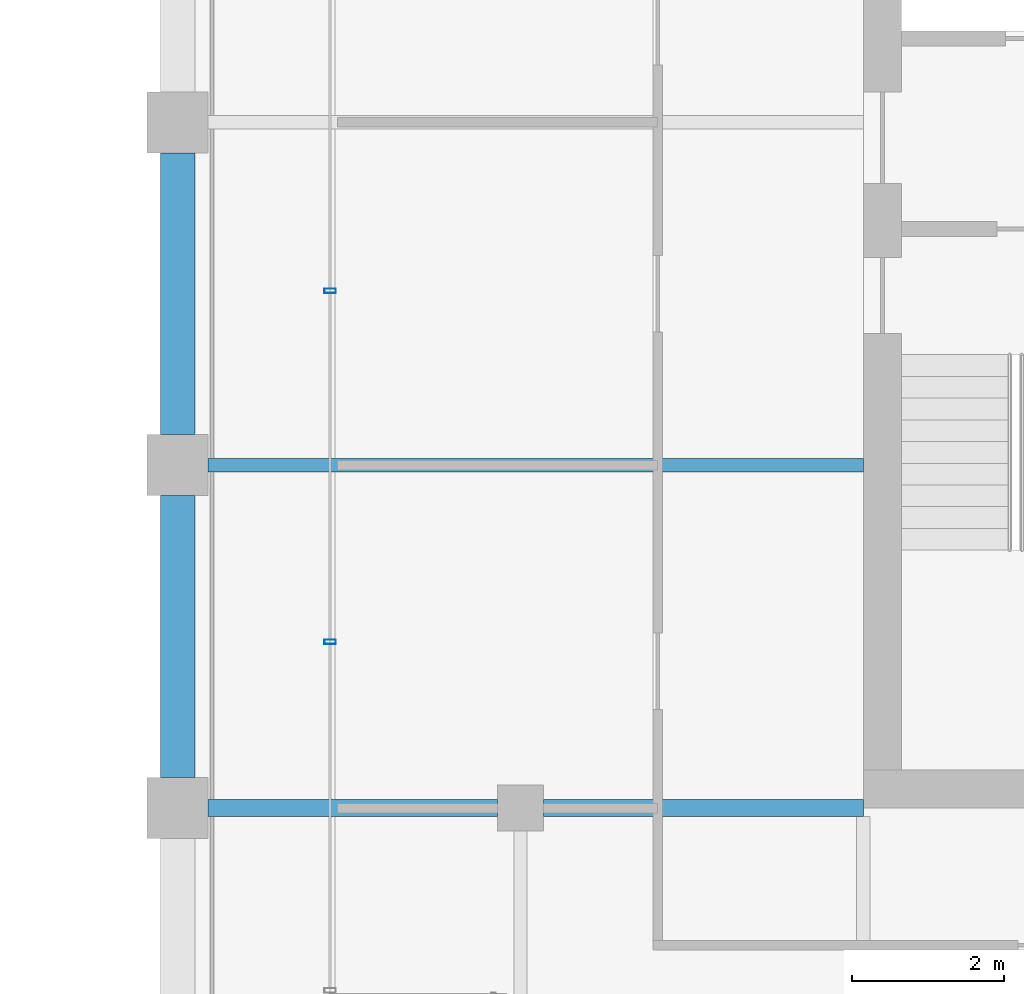
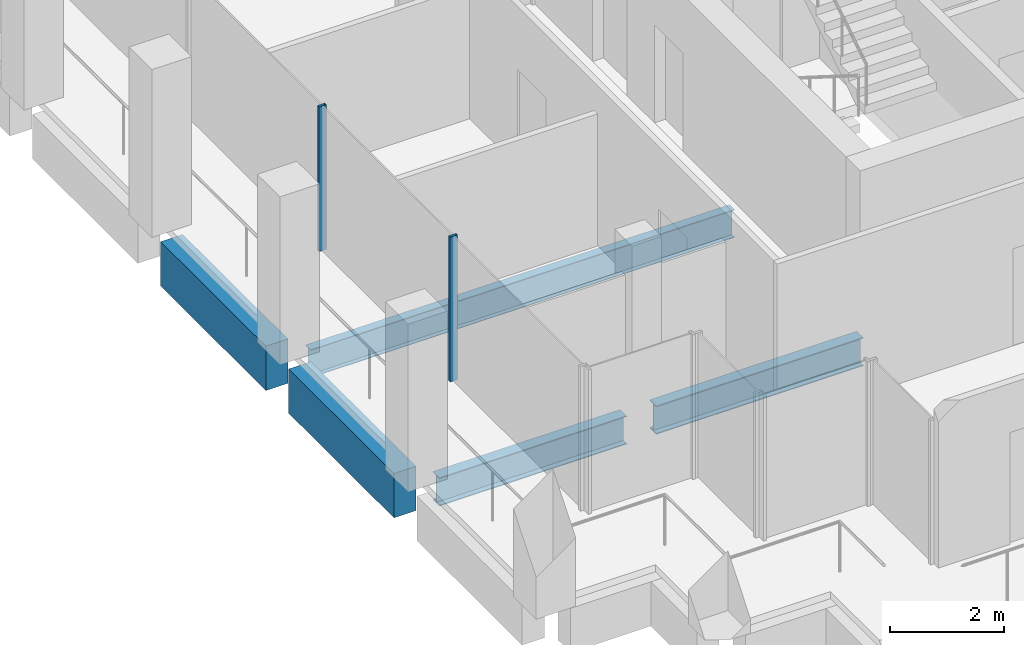
# One storey, part 30 of 40: 5 beams, 2 members, 1 element without a shape of its own.
"""IFC4 building model written with IfcOpenShell, lengths in metres."""

from ifc_helpers import new_model, si_unit, direction, frame, origin, origin_2d, place, context, subcontext, project, spatial, rectangle, hollow_rectangle, i_section, extrude, material, material_profile, profile_set, type_object, element, aggregate, save


model = new_model("IFC4")

# Units and contexts
model_context = context("Model", 3, precision=1e-05, world=origin(), true_north=direction((0.0, 1.0)))
body_context = subcontext(model_context, "Body", "Model", "MODEL_VIEW")
ifc_project = project(units=[si_unit("LENGTHUNIT", "METRE"), si_unit("AREAUNIT", "SQUARE_METRE"), si_unit("VOLUMEUNIT", "CUBIC_METRE"), si_unit("PLANEANGLEUNIT", "RADIAN"), si_unit("MASSUNIT", "GRAM", prefix="KILO")], contexts=[model_context])

# Site, building, storey
site_placement = place(None, origin())
site = spatial("IfcSite", under=ifc_project, at=site_placement, CompositionType="ELEMENT")
building_placement = place(site_placement, origin())
building = spatial("IfcBuilding", under=site, at=building_placement, Name="Altepetl Exchange Towers", CompositionType="ELEMENT")
storey_placement = place(building_placement, frame((0.0, 0.0, 199.199951171875)))
storey = spatial("IfcBuildingStorey", under=building, at=storey_placement, Name="L50", CompositionType="ELEMENT", Elevation=199.199951171875)

# Beams
ifc_material_1 = material(Name="Steel S355", Category="steel")
ifc_material_profile_1 = material_profile(ifc_material_1, i_section(OverallWidth=0.177978515625, OverallDepth=0.59912109375, WebThickness=0.010009765625, FlangeThickness=0.0126953125, at=origin_2d()), Name="W24X55")
ifc_profile_set_1 = profile_set([ifc_material_profile_1], Name="Steel S355")
beam_type_1 = type_object("IfcBeamType", Name="Floor beam W24X55", PredefinedType="BEAM", material=ifc_profile_set_1)
beam_1_placement = place(storey_placement, frame((94.89990234375, 40.5, -0.449462890625), z_axis=(1.0, 0.0, 0.0), x_axis=(0.0, 1.0, 0.0)))
element("IfcBeam", 1, at=beam_1_placement, inside=storey, type_object=beam_type_1, Name="bm:B:L50:004", PredefinedType="BEAM", context=body_context, shape_type="SweptSolid", body=[
    extrude(i_section(OverallWidth=0.177978515625, OverallDepth=0.59912109375, WebThickness=0.010009765625, FlangeThickness=0.0126953125, at=origin_2d()), origin(), (0.0, 0.0, 1.0), 8.60009765625),
])
ifc_material_profile_2 = material_profile(ifc_material_1, i_section(OverallWidth=0.22802734375, OverallDepth=0.60791015625, WebThickness=0.01123046875, FlangeThickness=0.017333984375, at=origin_2d()), Name="W24X76")
ifc_profile_set_2 = profile_set([ifc_material_profile_2], Name="Steel S355")
beam_type_2 = type_object("IfcBeamType", Name="Girder W24X76", PredefinedType="BEAM", material=ifc_profile_set_2)
beam_2_placement = place(storey_placement, frame((103.5, 36.0, -0.453857421875), z_axis=(-1.0, 0.0, 0.0), x_axis=(0.0, -1.0, 0.0)))
element("IfcBeam", 2, at=beam_2_placement, inside=storey, type_object=beam_type_2, Name="gd:B:L50:000", PredefinedType="BEAM", context=body_context, shape_type="SweptSolid", body=[
    extrude(i_section(OverallWidth=0.22802734375, OverallDepth=0.60791015625, WebThickness=0.01123046875, FlangeThickness=0.017333984375, at=origin_2d()), origin(), (0.0, 0.0, 1.0), 4.199951171875),
])
beam_3_placement = place(storey_placement, frame((98.699951171875, 36.0, -0.453857421875), z_axis=(-1.0, 0.0, 0.0), x_axis=(0.0, -1.0, 0.0)))
element("IfcBeam", 3, at=beam_3_placement, inside=storey, type_object=beam_type_2, Name="gd:B:L50:001", PredefinedType="BEAM", context=body_context, shape_type="SweptSolid", body=[
    extrude(i_section(OverallWidth=0.22802734375, OverallDepth=0.60791015625, WebThickness=0.01123046875, FlangeThickness=0.017333984375, at=origin_2d()), origin(), (0.0, 0.0, 1.0), 3.800048828125),
])

# Curtain wall, members
ifc_material_2 = material(Name="Aluminium 6063-T6 glazing", Category="aluminium")
curtain_wall_type = type_object("IfcCurtainWallType", Name="Loggia glazing system", PredefinedType="NOTDEFINED", material=ifc_material_2)
curtain_wall_placement = place(storey_placement, origin())
curtain_wall = element("IfcCurtainWall", 4, at=curtain_wall_placement, inside=storey, type_object=curtain_wall_type, Name="CW1 run", PredefinedType="NOTDEFINED")
ifc_material_3 = material(Name="Aluminium 6063-T6", Category="aluminium")
ifc_material_profile_3 = material_profile(ifc_material_3, hollow_rectangle(XDim=0.06005859375, YDim=0.14990234375, WallThickness=0.0029296875, at=origin_2d()), Name="Mullion 60x150 aluminium")
ifc_profile_set_3 = profile_set([ifc_material_profile_3], Name="Aluminium 6063-T6")
member_type = type_object("IfcMemberType", Name="Mullion 60x150 aluminium", PredefinedType="MULLION", material=ifc_profile_set_3)
member_1_placement = place(storey_placement, frame((96.5, 42.78759765625, 0.0), z_axis=(0.0, 0.0, 1.0), x_axis=(0.0, -1.0, 0.0)))
member_1 = element("IfcMember", 5, at=member_1_placement, type_object=member_type, Name="MU1 mullion", PredefinedType="MULLION", context=body_context, shape_type="SweptSolid", body=[
    extrude(hollow_rectangle(XDim=0.06005859375, YDim=0.14990234375, WallThickness=0.0029296875, at=origin_2d()), origin(), (0.0, 0.0, 1.0), 3.10009765625),
])
member_2_placement = place(storey_placement, frame((96.5, 38.18115234375, 0.0), z_axis=(0.0, 0.0, 1.0), x_axis=(0.0, -1.0, 0.0)))
member_2 = element("IfcMember", 6, at=member_2_placement, type_object=member_type, Name="MU1 mullion", PredefinedType="MULLION", context=body_context, shape_type="SweptSolid", body=[
    extrude(hollow_rectangle(XDim=0.06005859375, YDim=0.14990234375, WallThickness=0.0029296875, at=origin_2d()), origin(), (0.0, 0.0, 1.0), 3.10009765625),
])
aggregate(curtain_wall, [member_1, member_2])

# Beams
ifc_material_4 = material(Name="Concrete C50/60 precast with cantera rosa facing", Category="concrete")
ifc_material_profile_4 = material_profile(ifc_material_4, rectangle(XDim=0.449951171875, YDim=0.949951171875, at=origin_2d()), Name="450 x 950")
ifc_profile_set_4 = profile_set([ifc_material_profile_4], Name="Concrete C50/60 precast with cantera rosa facing")
beam_type_3 = type_object("IfcBeamType", Name="Spandrel beam 450x950 cantera rosa", PredefinedType="SPANDREL", material=ifc_profile_set_4)
for number, where, z_axis, x_axis, name in (
    (7, (94.5, 44.60009765625, -0.625), (0.0, -1.0, 0.0), (1.0, 0.0, 0.0), "sp:B:L50:017"),
    (8, (94.5, 40.10009765625, -0.625), (0.0, -1.0, 0.0), (1.0, 0.0, 0.0), "sp:B:L50:018"),
):
    element("IfcBeam", number, at=place(storey_placement, frame(where, z_axis=z_axis, x_axis=x_axis)), inside=storey, type_object=beam_type_3, Name=name, PredefinedType="SPANDREL", context=body_context, shape_type="SweptSolid", body=[
        extrude(rectangle(XDim=0.449951171875, YDim=0.949951171875, at=origin_2d()), origin(), (0.0, 0.0, 1.0), 3.7001953125),
    ])

save(model, "model.ifc")
